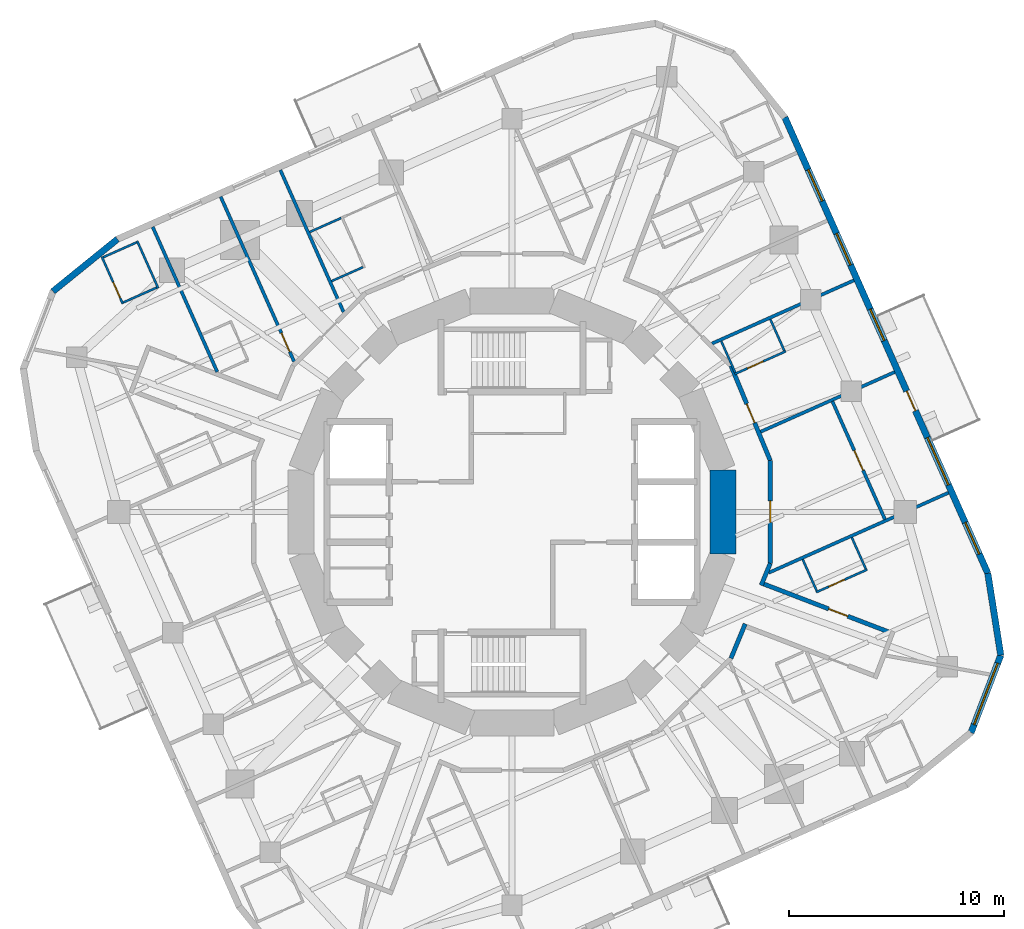
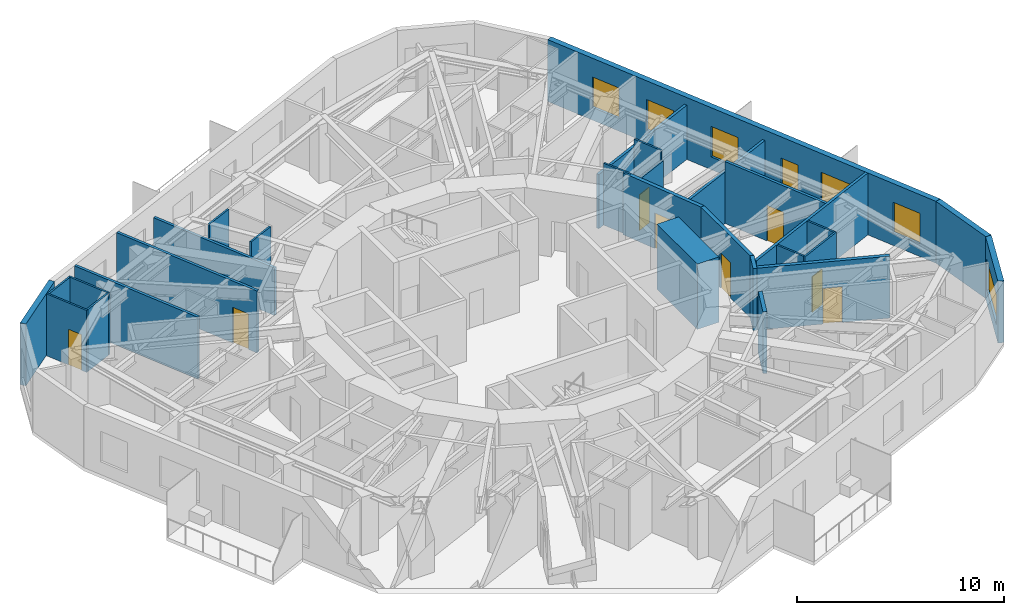
# One storey, part 8 of 12: 29 walls, 9 doors, 6 windows, 15 openings.
"""IFC4 building model written with IfcOpenShell, lengths in metres."""

from ifc_helpers import new_model, si_unit, direction, frame, frame_2d, origin, place, context, subcontext, project, spatial, rectangle, extrude, material, layer, layer_set, type_object, element, fill, save


model = new_model("IFC4")

# Units and contexts
model_context = context("Model", 3, precision=1e-05, world=origin(), true_north=direction((0.0, 1.0)))
body_context = subcontext(model_context, "Body", "Model", "MODEL_VIEW")
ifc_project = project(units=[si_unit("LENGTHUNIT", "METRE"), si_unit("AREAUNIT", "SQUARE_METRE"), si_unit("VOLUMEUNIT", "CUBIC_METRE"), si_unit("PLANEANGLEUNIT", "RADIAN"), si_unit("MASSUNIT", "GRAM", prefix="KILO")], contexts=[model_context])

# Site, building, storey
site_placement = place(None, origin())
site = spatial("IfcSite", under=ifc_project, at=site_placement, CompositionType="ELEMENT")
building_placement = place(site_placement, origin())
building = spatial("IfcBuilding", under=site, at=building_placement, Name="Nakasero Lantern House", CompositionType="ELEMENT")
storey_placement = place(building_placement, frame((0.0, 0.0, 213.25)))
storey = spatial("IfcBuildingStorey", under=building, at=storey_placement, Name="L52", CompositionType="ELEMENT", Elevation=213.25)

# Wall
ifc_material_1 = material(Name="Concrete C50/60", Category="concrete")
ifc_layer_1 = layer(ifc_material_1, 1.199951171875)
ifc_layer_set_1 = layer_set([ifc_layer_1], Name="Core wall 1200")
wall_type_1 = type_object("IfcWallType", Name="Core wall 1200", PredefinedType="SHEAR", material=ifc_layer_set_1)
wall_1_placement = place(storey_placement, frame((9.807861328125, -1.950927734375, 0.0), z_axis=(0.0, 0.0, 1.0), x_axis=(0.0, 1.0, 0.0)))
element("IfcWall", 1, at=wall_1_placement, inside=storey, type_object=wall_type_1, Name="Core wall L52 facet 16", PredefinedType="SHEAR", context=body_context, shape_type="SweptSolid", body=[
    extrude(rectangle(XDim=3.90185546875, YDim=1.199951171875, at=frame_2d((1.950927734375, 0.0))), origin(), (0.0, 0.0, 1.0), 3.85009765625),
])

# Wall, opening, door
ifc_material_2 = material(Name="Blockwork", Category="masonry")
ifc_layer_2 = layer(ifc_material_2, 0.199951171875)
ifc_layer_set_2 = layer_set([ifc_layer_2], Name="Corridor wall 200")
wall_type_2 = type_object("IfcWallType", Name="Corridor wall 200", PredefinedType="PARTITIONING", material=ifc_layer_set_2)
wall_2_placement = place(storey_placement, frame((12.0078125, 2.388427734375, 0.0), z_axis=(0.0, 0.0, 1.0), x_axis=(0.0, -1.0, 0.0)))
wall_2 = element("IfcWall", 2, at=wall_2_placement, inside=storey, type_object=wall_type_2, Name="Corridor wall L52 RC00a", PredefinedType="PARTITIONING", context=body_context, shape_type="SweptSolid", body=[
    extrude(rectangle(XDim=4.77685546875, YDim=0.199951171875, at=frame_2d((2.388427734375, 0.0))), origin(), (0.0, 0.0, 1.0), 3.64990234375),
])
opening_1_placement = place(wall_2_placement, frame((1.8701171875, 0.0, 0.0)))
opening_1 = element("IfcOpeningElement", 3, at=opening_1_placement, cuts=wall_2, Name="Opening D03", PredefinedType="OPENING", context=body_context, shape_type="SweptSolid", body=[
    extrude(rectangle(XDim=1.0, YDim=2.10009765625, at=frame_2d((0.5, 1.050048828125))), frame((0.0, 0.119873046875, 0.0), z_axis=(0.0, -1.0, 0.0), x_axis=(1.0, 0.0, 0.0)), (0.0, 0.0, 1.0), 0.239990234375),
])
ifc_material_3 = material(Name="Timber C24", Category="wood")
door_type_1 = type_object("IfcDoorType", Name="Lounge door FD30S 1000", OperationType="SINGLE_SWING_LEFT", PredefinedType="DOOR", material=ifc_material_3)
door_1_placement = place(opening_1_placement, origin())
door_1 = element("IfcDoor", 4, at=door_1_placement, inside=storey, type_object=door_type_1, Name="Door L52 DK0", OperationType="SINGLE_SWING_LEFT", OverallHeight=2.10009765625, OverallWidth=1.0, PredefinedType="DOOR", context=body_context, shape_type="SweptSolid", body=[
    extrude(rectangle(XDim=1.0, YDim=2.10009765625, at=frame_2d((0.5, 1.050048828125))), frame((0.0, 0.02490234375, 0.0), z_axis=(0.0, -1.0, 0.0), x_axis=(1.0, 0.0, 0.0)), (0.0, 0.0, 1.0), 0.050048828125),
])
fill(opening_1, door_1)

# Walls
wall_3_placement = place(storey_placement, frame((12.0078125, -2.388427734375, 0.0), z_axis=(0.0, 0.0, 1.0), x_axis=(-0.382651327736, -0.923892830031, 0.0)))
element("IfcWall", 5, at=wall_3_placement, inside=storey, type_object=wall_type_2, Name="Corridor wall L52 RC01a", PredefinedType="PARTITIONING", context=body_context, shape_type="SweptSolid", body=[
    extrude(rectangle(XDim=1.103759765625, YDim=0.199951171875, at=frame_2d((0.5517578125, 0.0))), origin(), (0.0, 0.0, 1.0), 3.64990234375),
])
wall_4_placement = place(storey_placement, frame((10.8427734375, -5.201171875, 0.0), z_axis=(0.0, 0.0, 1.0), x_axis=(-0.382683633391, -0.923879449244, 0.0)))
element("IfcWall", 6, at=wall_4_placement, inside=storey, type_object=wall_type_2, Name="Corridor wall L52 RC01b", PredefinedType="PARTITIONING", context=body_context, shape_type="SweptSolid", body=[
    extrude(rectangle(XDim=1.732666015625, YDim=0.199951171875, at=frame_2d((0.8662109375, 0.0))), origin(), (0.0, 0.0, 1.0), 3.64990234375),
])

# Wall, opening, door
wall_5_placement = place(storey_placement, frame((10.1796875, 6.802001953125, 0.0), z_axis=(0.0, 0.0, 1.0), x_axis=(0.382676767893, -0.923882292998, 0.0)))
wall_5 = element("IfcWall", 7, at=wall_5_placement, inside=storey, type_object=wall_type_2, Name="Corridor wall L52 RC15a", PredefinedType="PARTITIONING", context=body_context, shape_type="SweptSolid", body=[
    extrude(rectangle(XDim=4.777099609375, YDim=0.199951171875, at=frame_2d((2.388671875, 0.0))), origin(), (0.0, 0.0, 1.0), 3.64990234375),
])
opening_2_placement = place(wall_5_placement, frame((1.919921875, 0.0, 0.0)))
opening_2 = element("IfcOpeningElement", 8, at=opening_2_placement, cuts=wall_5, Name="Opening D01", PredefinedType="OPENING", context=body_context, shape_type="SweptSolid", body=[
    extrude(rectangle(XDim=0.949951171875, YDim=2.10009765625, at=frame_2d((0.47509765625, 1.050048828125))), frame((0.0, 0.119873046875, 0.0), z_axis=(0.0, -1.0, 0.0), x_axis=(1.0, 0.0, 0.0)), (0.0, 0.0, 1.0), 0.239990234375),
])
ifc_material_4 = material(Name="Timber C24", Category="wood")
door_type_2 = type_object("IfcDoorType", Name="Bedroom door FD30S 950", OperationType="SINGLE_SWING_LEFT", PredefinedType="DOOR", material=ifc_material_4)
door_2_placement = place(opening_2_placement, origin())
door_2 = element("IfcDoor", 9, at=door_2_placement, inside=storey, type_object=door_type_2, Name="Door L52 D0-03", OperationType="SINGLE_SWING_RIGHT", OverallHeight=2.10009765625, OverallWidth=0.949951171875, PredefinedType="DOOR", context=body_context, shape_type="SweptSolid", body=[
    extrude(rectangle(XDim=0.949951171875, YDim=2.10009765625, at=frame_2d((0.47509765625, 1.050048828125))), frame((0.0, 0.02490234375, 0.0), z_axis=(0.0, -1.0, 0.0), x_axis=(1.0, 0.0, 0.0)), (0.0, 0.0, 1.0), 0.050048828125),
])
fill(opening_2, door_2)

wall_6_placement = place(storey_placement, frame((11.623779296875, -3.31591796875, 0.0), z_axis=(0.0, 0.0, 1.0), x_axis=(0.933579421016, -0.358370568903, 0.0)))
wall_6 = element("IfcWall", 10, at=wall_6_placement, inside=storey, type_object=wall_type_2, Name="Corridor wall L52 SP3b", PredefinedType="PARTITIONING", context=body_context, shape_type="SweptSolid", body=[
    extrude(rectangle(XDim=6.587646484375, YDim=0.199951171875, at=frame_2d((3.2939453125, 0.0))), origin(), (0.0, 0.0, 1.0), 3.64990234375),
])
opening_3_placement = place(wall_6_placement, frame((3.320068359375, 0.0, 0.0)))
opening_3 = element("IfcOpeningElement", 11, at=opening_3_placement, cuts=wall_6, Name="Opening D01", PredefinedType="OPENING", context=body_context, shape_type="SweptSolid", body=[
    extrude(rectangle(XDim=0.949951171875, YDim=2.10009765625, at=frame_2d((0.47509765625, 1.050048828125))), frame((0.0, 0.119873046875, 0.0), z_axis=(0.0, -1.0, 0.0), x_axis=(1.0, 0.0, 0.0)), (0.0, 0.0, 1.0), 0.239990234375),
])
door_3_placement = place(opening_3_placement, origin())
door_3 = element("IfcDoor", 12, at=door_3_placement, inside=storey, type_object=door_type_2, Name="Door L52 D0-00", OperationType="SINGLE_SWING_RIGHT", OverallHeight=2.10009765625, OverallWidth=0.949951171875, PredefinedType="DOOR", context=body_context, shape_type="SweptSolid", body=[
    extrude(rectangle(XDim=0.949951171875, YDim=2.10009765625, at=frame_2d((0.47509765625, 1.050048828125))), frame((0.0, 0.02490234375, 0.0), z_axis=(0.0, -1.0, 0.0), x_axis=(1.0, 0.0, 0.0)), (0.0, 0.0, 1.0), 0.050048828125),
])
fill(opening_3, door_3)

ifc_material_5 = material(Name="Blockwork", Category="masonry")
ifc_layer_3 = layer(ifc_material_5, 0.10009765625)
ifc_layer_set_3 = layer_set([ifc_layer_3], Name="En-suite wall 100")
wall_type_3 = type_object("IfcWallType", Name="En-suite wall 100", PredefinedType="PARTITIONING", material=ifc_layer_set_3)
wall_7_placement = place(storey_placement, frame((14.14013671875, -3.731689453125, 0.0), z_axis=(0.0, 0.0, 1.0), x_axis=(0.913532543723, 0.406765646974, 0.0)))
wall_7 = element("IfcWall", 13, at=wall_7_placement, inside=storey, type_object=wall_type_3, Name="En-suite wall L52 ES0-00", PredefinedType="PARTITIONING", context=body_context, shape_type="SweptSolid", body=[
    extrude(rectangle(XDim=2.60009765625, YDim=0.10009765625, at=frame_2d((1.300048828125, 0.0))), origin(), (0.0, 0.0, 1.0), 3.64990234375),
])
opening_4_placement = place(wall_7_placement, frame((0.64990234375, 0.0, 0.0)))
opening_4 = element("IfcOpeningElement", 14, at=opening_4_placement, cuts=wall_7, Name="Opening D02", PredefinedType="OPENING", context=body_context, shape_type="SweptSolid", body=[
    extrude(rectangle(XDim=0.800048828125, YDim=2.10009765625, at=frame_2d((0.39990234375, 1.050048828125))), frame((0.0, 0.070068359375, 0.0), z_axis=(0.0, -1.0, 0.0), x_axis=(1.0, 0.0, 0.0)), (0.0, 0.0, 1.0), 0.14013671875),
])
ifc_material_6 = material(Name="Timber C24", Category="wood")
door_type_3 = type_object("IfcDoorType", Name="En-suite door 800", OperationType="SINGLE_SWING_RIGHT", PredefinedType="DOOR", material=ifc_material_6)
door_4_placement = place(opening_4_placement, origin())
door_4 = element("IfcDoor", 15, at=door_4_placement, inside=storey, type_object=door_type_3, Name="Door L52 DE0-00", OperationType="SINGLE_SWING_LEFT", OverallHeight=2.10009765625, OverallWidth=0.800048828125, PredefinedType="DOOR", context=body_context, shape_type="SweptSolid", body=[
    extrude(rectangle(XDim=0.800048828125, YDim=2.10009765625, at=frame_2d((0.39990234375, 1.050048828125))), frame((0.0, 0.02490234375, 0.0), z_axis=(0.0, -1.0, 0.0), x_axis=(1.0, 0.0, 0.0)), (0.0, 0.0, 1.0), 0.050048828125),
])
fill(opening_4, door_4)

# Walls
wall_8_placement = place(storey_placement, frame((16.449462890625, -2.648681640625, 0.0), z_axis=(0.0, 0.0, 1.0), x_axis=(-0.40678959877, 0.913521878409, 0.0)))
element("IfcWall", 16, at=wall_8_placement, inside=storey, type_object=wall_type_3, Name="En-suite wall L52 EE0-00", PredefinedType="PARTITIONING", context=body_context, shape_type="SweptSolid", body=[
    extrude(rectangle(XDim=1.60009765625, YDim=0.10009765625, at=frame_2d((0.800048828125, 0.0))), origin(), (0.0, 0.0, 1.0), 3.64990234375),
])
wall_9_placement = place(storey_placement, frame((14.16552734375, -3.66552734375, 0.0), z_axis=(0.0, 0.0, 1.0), x_axis=(-0.406662251972, 0.913578575067, 0.0)))
element("IfcWall", 17, at=wall_9_placement, inside=storey, type_object=wall_type_3, Name="En-suite wall L52 EI0-00", PredefinedType="PARTITIONING", context=body_context, shape_type="SweptSolid", body=[
    extrude(rectangle(XDim=1.599853515625, YDim=0.10009765625, at=frame_2d((0.7998046875, 0.0))), origin(), (0.0, 0.0, 1.0), 3.64990234375),
])

# Wall, opening, door
wall_10_placement = place(storey_placement, frame((10.353515625, 6.4130859375, 0.0), z_axis=(0.0, 0.0, 1.0), x_axis=(0.913567433554, 0.406687280781, 0.0)))
wall_10 = element("IfcWall", 18, at=wall_10_placement, inside=storey, type_object=wall_type_3, Name="En-suite wall L52 ES0-03", PredefinedType="PARTITIONING", context=body_context, shape_type="SweptSolid", body=[
    extrude(rectangle(XDim=2.599853515625, YDim=0.10009765625, at=frame_2d((1.2998046875, 0.0))), origin(), (0.0, 0.0, 1.0), 3.037841796875),
])
opening_5_placement = place(wall_10_placement, frame((0.64990234375, 0.0, 0.0)))
opening_5 = element("IfcOpeningElement", 19, at=opening_5_placement, cuts=wall_10, Name="Opening D02", PredefinedType="OPENING", context=body_context, shape_type="SweptSolid", body=[
    extrude(rectangle(XDim=0.800048828125, YDim=2.10009765625, at=frame_2d((0.39990234375, 1.050048828125))), frame((0.0, 0.070068359375, 0.0), z_axis=(0.0, -1.0, 0.0), x_axis=(1.0, 0.0, 0.0)), (0.0, 0.0, 1.0), 0.14013671875),
])
door_5_placement = place(opening_5_placement, origin())
door_5 = element("IfcDoor", 20, at=door_5_placement, inside=storey, type_object=door_type_3, Name="Door L52 DE0-03", OperationType="SINGLE_SWING_LEFT", OverallHeight=2.10009765625, OverallWidth=0.800048828125, PredefinedType="DOOR", context=body_context, shape_type="SweptSolid", body=[
    extrude(rectangle(XDim=0.800048828125, YDim=2.10009765625, at=frame_2d((0.39990234375, 1.050048828125))), frame((0.0, 0.02490234375, 0.0), z_axis=(0.0, -1.0, 0.0), x_axis=(1.0, 0.0, 0.0)), (0.0, 0.0, 1.0), 0.050048828125),
])
fill(opening_5, door_5)

# Walls
for number, where, z_axis, x_axis, name in (
    (21, (12.66259765625, 7.495849609375, 0.0), (0.0, 0.0, 1.0), (-0.406662251972, 0.913578575067, 0.0), "En-suite wall L52 EE0-03"),
    (22, (10.378662109375, 6.47900390625, 0.0), (0.0, 0.0, 1.0), (-0.406662251972, 0.913578575067, 0.0), "En-suite wall L52 EI0-03"),
    (23, (-7.943359375, 13.66748046875, 0.0), (0.0, 0.0, 1.0), (-0.913578575067, -0.406662251972, 0.0), "En-suite wall L52 EE1-03"),
):
    element("IfcWall", number, at=place(storey_placement, frame(where, z_axis=z_axis, x_axis=x_axis)), inside=storey, type_object=wall_type_3, Name=name, PredefinedType="PARTITIONING", context=body_context, shape_type="SweptSolid", body=[
        extrude(rectangle(XDim=1.599853515625, YDim=0.10009765625, at=frame_2d((0.7998046875, 0.0))), origin(), (0.0, 0.0, 1.0), 3.64990234375),
    ])
wall_11_placement = place(storey_placement, frame((-6.926513671875, 11.3837890625, 0.0), z_axis=(0.0, 0.0, 1.0), x_axis=(-0.913521878409, -0.40678959877, 0.0)))
element("IfcWall", 24, at=wall_11_placement, inside=storey, type_object=wall_type_3, Name="En-suite wall L52 EI1-03", PredefinedType="PARTITIONING", context=body_context, shape_type="SweptSolid", body=[
    extrude(rectangle(XDim=1.60009765625, YDim=0.10009765625, at=frame_2d((0.800048828125, 0.0))), origin(), (0.0, 0.0, 1.0), 3.64990234375),
])

# Wall, opening, door
wall_12_placement = place(storey_placement, frame((-18.0947265625, 9.676025390625, 0.0), z_axis=(0.0, 0.0, 1.0), x_axis=(-0.406685806039, 0.913568090055, 0.0)))
wall_12 = element("IfcWall", 25, at=wall_12_placement, inside=storey, type_object=wall_type_3, Name="En-suite wall L52 ES1-06", PredefinedType="PARTITIONING", context=body_context, shape_type="SweptSolid", body=[
    extrude(rectangle(XDim=2.400146484375, YDim=0.10009765625, at=frame_2d((1.2001953125, 0.0))), origin(), (0.0, 0.0, 1.0), 3.64990234375),
])
opening_6_placement = place(wall_12_placement, frame((0.300048828125, 0.0, 0.0)))
opening_6 = element("IfcOpeningElement", 26, at=opening_6_placement, cuts=wall_12, Name="Opening D02", PredefinedType="OPENING", context=body_context, shape_type="SweptSolid", body=[
    extrude(rectangle(XDim=0.800048828125, YDim=2.10009765625, at=frame_2d((0.39990234375, 1.050048828125))), frame((0.0, 0.070068359375, 0.0), z_axis=(0.0, -1.0, 0.0), x_axis=(1.0, 0.0, 0.0)), (0.0, 0.0, 1.0), 0.14013671875),
])
door_6_placement = place(opening_6_placement, origin())
door_6 = element("IfcDoor", 27, at=door_6_placement, inside=storey, type_object=door_type_3, Name="Door L52 DE1-06", OperationType="SINGLE_SWING_LEFT", OverallHeight=2.10009765625, OverallWidth=0.800048828125, PredefinedType="DOOR", context=body_context, shape_type="SweptSolid", body=[
    extrude(rectangle(XDim=0.800048828125, YDim=2.10009765625, at=frame_2d((0.39990234375, 1.050048828125))), frame((0.0, 0.02490234375, 0.0), z_axis=(0.0, -1.0, 0.0), x_axis=(1.0, 0.0, 0.0)), (0.0, 0.0, 1.0), 0.050048828125),
])
fill(opening_6, door_6)

# Walls
wall_13_placement = place(storey_placement, frame((-16.4501953125, 10.408203125, 0.0), z_axis=(0.0, 0.0, 1.0), x_axis=(-0.406808500233, 0.913513461389, 0.0)))
element("IfcWall", 28, at=wall_13_placement, inside=storey, type_object=wall_type_3, Name="En-suite wall L52 EV1-06", PredefinedType="PARTITIONING", context=body_context, shape_type="SweptSolid", body=[
    extrude(rectangle(XDim=2.39990234375, YDim=0.10009765625, at=frame_2d((1.199951171875, 0.0))), origin(), (0.0, 0.0, 1.0), 3.64990234375),
])
wall_14_placement = place(storey_placement, frame((-17.45166015625, 12.53466796875, 0.0), z_axis=(0.0, 0.0, 1.0), x_axis=(-0.91357452948, -0.406671340378, 0.0)))
element("IfcWall", 29, at=wall_14_placement, inside=storey, type_object=wall_type_3, Name="En-suite wall L52 EE1-06", PredefinedType="PARTITIONING", context=body_context, shape_type="SweptSolid", body=[
    extrude(rectangle(XDim=1.7001953125, YDim=0.10009765625, at=frame_2d((0.85009765625, 0.0))), origin(), (0.0, 0.0, 1.0), 3.64990234375),
])
wall_15_placement = place(storey_placement, frame((-16.516357421875, 10.43359375, 0.0), z_axis=(0.0, 0.0, 1.0), x_axis=(-0.913550776237, -0.406724697108, 0.0)))
element("IfcWall", 30, at=wall_15_placement, inside=storey, type_object=wall_type_3, Name="En-suite wall L52 EI1-06", PredefinedType="PARTITIONING", context=body_context, shape_type="SweptSolid", body=[
    extrude(rectangle(XDim=1.699951171875, YDim=0.10009765625, at=frame_2d((0.85009765625, 0.0))), origin(), (0.0, 0.0, 1.0), 3.64990234375),
])

# Wall, openings, door, windows
ifc_material_7 = material(Name="Aluminium rainscreen on blockwork", Category="masonry")
ifc_layer_4 = layer(ifc_material_7, 0.300048828125)
ifc_layer_set_4 = layer_set([ifc_layer_4], Name="Facade wall 300")
wall_type_4 = type_object("IfcWallType", Name="Facade wall 300", PredefinedType="SOLIDWALL", material=ifc_layer_set_4)
wall_16_placement = place(storey_placement, frame((22.12109375, -2.848876953125, 0.0), z_axis=(0.0, 0.0, 1.0), x_axis=(-0.406734951338, 0.913546210851, 0.0)))
wall_16 = element("IfcWall", 31, at=wall_16_placement, inside=storey, type_object=wall_type_4, Name="Facade wall L52 FW0S", PredefinedType="SOLIDWALL", context=body_context, shape_type="SweptSolid", body=[
    extrude(rectangle(XDim=23.199951171875, YDim=0.300048828125, at=frame_2d((11.60009765625, 0.0))), origin(), (0.0, 0.0, 1.0), 3.64990234375),
])
opening_7_placement = place(wall_16_placement, frame((0.982421875, 0.0, 0.75)))
opening_7 = element("IfcOpeningElement", 32, at=opening_7_placement, cuts=wall_16, Name="Opening W01", PredefinedType="OPENING", context=body_context, shape_type="SweptSolid", body=[
    extrude(rectangle(XDim=1.60009765625, YDim=1.800048828125, at=frame_2d((0.800048828125, 0.89990234375))), frame((0.0, 0.169921875, 0.0), z_axis=(0.0, -1.0, 0.0), x_axis=(1.0, 0.0, 0.0)), (0.0, 0.0, 1.0), 0.340087890625),
])
opening_8_placement = place(wall_16_placement, frame((11.83984375, 0.0, 0.75)))
opening_8 = element("IfcOpeningElement", 33, at=opening_8_placement, cuts=wall_16, Name="Opening W01", PredefinedType="OPENING", context=body_context, shape_type="SweptSolid", body=[
    extrude(rectangle(XDim=1.60009765625, YDim=1.800048828125, at=frame_2d((0.800048828125, 0.89990234375))), frame((0.0, 0.169921875, 0.0), z_axis=(0.0, -1.0, 0.0), x_axis=(1.0, 0.0, 0.0)), (0.0, 0.0, 1.0), 0.340087890625),
])
opening_9_placement = place(wall_16_placement, frame((15.69140625, 0.0, 0.75)))
opening_9 = element("IfcOpeningElement", 34, at=opening_9_placement, cuts=wall_16, Name="Opening W01", PredefinedType="OPENING", context=body_context, shape_type="SweptSolid", body=[
    extrude(rectangle(XDim=1.60009765625, YDim=1.800048828125, at=frame_2d((0.800048828125, 0.89990234375))), frame((0.0, 0.169921875, 0.0), z_axis=(0.0, -1.0, 0.0), x_axis=(1.0, 0.0, 0.0)), (0.0, 0.0, 1.0), 0.340087890625),
])
opening_10_placement = place(wall_16_placement, frame((18.940185546875, 0.0, 0.75)))
opening_10 = element("IfcOpeningElement", 35, at=opening_10_placement, cuts=wall_16, Name="Opening W01", PredefinedType="OPENING", context=body_context, shape_type="SweptSolid", body=[
    extrude(rectangle(XDim=1.60009765625, YDim=1.800048828125, at=frame_2d((0.800048828125, 0.89990234375))), frame((0.0, 0.169921875, 0.0), z_axis=(0.0, -1.0, 0.0), x_axis=(1.0, 0.0, 0.0)), (0.0, 0.0, 1.0), 0.340087890625),
])
opening_11_placement = place(wall_16_placement, frame((4.500244140625, 0.0, 0.75)))
opening_11 = element("IfcOpeningElement", 36, at=opening_11_placement, cuts=wall_16, Name="Opening W03", PredefinedType="OPENING", context=body_context, shape_type="SweptSolid", body=[
    extrude(rectangle(XDim=2.39990234375, YDim=1.800048828125, at=frame_2d((1.199951171875, 0.89990234375))), frame((0.0, 0.169921875, 0.0), z_axis=(0.0, -1.0, 0.0), x_axis=(1.0, 0.0, 0.0)), (0.0, 0.0, 1.0), 0.340087890625),
])
opening_12_placement = place(wall_16_placement, frame((8.271484375, 0.0, 0.0)))
opening_12 = element("IfcOpeningElement", 37, at=opening_12_placement, cuts=wall_16, Name="Opening D04", PredefinedType="OPENING", context=body_context, shape_type="SweptSolid", body=[
    extrude(rectangle(XDim=1.0, YDim=2.39990234375, at=frame_2d((0.5, 1.199951171875))), frame((0.0, 0.169921875, 0.0), z_axis=(0.0, -1.0, 0.0), x_axis=(1.0, 0.0, 0.0)), (0.0, 0.0, 1.0), 0.340087890625),
])
ifc_material_8 = material(Name="Aluminium 6063-T6 and glass", Category="aluminium")
door_type_4 = type_object("IfcDoorType", Name="Balcony door 1000x2400", OperationType="SINGLE_SWING_RIGHT", PredefinedType="DOOR", material=ifc_material_8)
door_7_placement = place(opening_12_placement, origin())
door_7 = element("IfcDoor", 38, at=door_7_placement, inside=storey, type_object=door_type_4, Name="Balcony door L52 DB0", OperationType="SINGLE_SWING_RIGHT", OverallHeight=2.39990234375, OverallWidth=1.0, PredefinedType="DOOR", context=body_context, shape_type="SweptSolid", body=[
    extrude(rectangle(XDim=1.0, YDim=2.39990234375, at=frame_2d((0.5, 1.199951171875))), frame((0.0, 0.02490234375, 0.0), z_axis=(0.0, -1.0, 0.0), x_axis=(1.0, 0.0, 0.0)), (0.0, 0.0, 1.0), 0.050048828125),
])
fill(opening_12, door_7)
ifc_material_9 = material(Name="Aluminium 6063-T6 and glass", Category="aluminium")
window_type_1 = type_object("IfcWindowType", Name="Bedroom window 1600x1800", PartitioningType="SINGLE_PANEL", PredefinedType="WINDOW", material=ifc_material_9)
window_1_placement = place(opening_7_placement, origin())
window_1 = element("IfcWindow", 39, at=window_1_placement, inside=storey, type_object=window_type_1, Name="Window L52 WN0-00", OverallHeight=1.800048828125, OverallWidth=1.60009765625, PartitioningType="SINGLE_PANEL", PredefinedType="WINDOW", context=body_context, shape_type="SweptSolid", body=[
    extrude(rectangle(XDim=1.60009765625, YDim=1.800048828125, at=frame_2d((0.800048828125, 0.89990234375))), frame((0.0, 0.030029296875, 0.0), z_axis=(0.0, -1.0, 0.0), x_axis=(1.0, 0.0, 0.0)), (0.0, 0.0, 1.0), 0.06005859375),
])
fill(opening_7, window_1)
window_2_placement = place(opening_8_placement, origin())
window_2 = element("IfcWindow", 40, at=window_2_placement, inside=storey, type_object=window_type_1, Name="Window L52 WN0-03", OverallHeight=1.800048828125, OverallWidth=1.60009765625, PartitioningType="SINGLE_PANEL", PredefinedType="WINDOW", context=body_context, shape_type="SweptSolid", body=[
    extrude(rectangle(XDim=1.60009765625, YDim=1.800048828125, at=frame_2d((0.800048828125, 0.89990234375))), frame((0.0, 0.030029296875, 0.0), z_axis=(0.0, -1.0, 0.0), x_axis=(1.0, 0.0, 0.0)), (0.0, 0.0, 1.0), 0.06005859375),
])
fill(opening_8, window_2)
window_3_placement = place(opening_9_placement, origin())
window_3 = element("IfcWindow", 41, at=window_3_placement, inside=storey, type_object=window_type_1, Name="Window L52 WN0-04", OverallHeight=1.800048828125, OverallWidth=1.60009765625, PartitioningType="SINGLE_PANEL", PredefinedType="WINDOW", context=body_context, shape_type="SweptSolid", body=[
    extrude(rectangle(XDim=1.60009765625, YDim=1.800048828125, at=frame_2d((0.800048828125, 0.89990234375))), frame((0.0, 0.030029296875, 0.0), z_axis=(0.0, -1.0, 0.0), x_axis=(1.0, 0.0, 0.0)), (0.0, 0.0, 1.0), 0.06005859375),
])
fill(opening_9, window_3)
window_4_placement = place(opening_10_placement, origin())
window_4 = element("IfcWindow", 42, at=window_4_placement, inside=storey, type_object=window_type_1, Name="Window L52 WN0-05", OverallHeight=1.800048828125, OverallWidth=1.60009765625, PartitioningType="SINGLE_PANEL", PredefinedType="WINDOW", context=body_context, shape_type="SweptSolid", body=[
    extrude(rectangle(XDim=1.60009765625, YDim=1.800048828125, at=frame_2d((0.800048828125, 0.89990234375))), frame((0.0, 0.030029296875, 0.0), z_axis=(0.0, -1.0, 0.0), x_axis=(1.0, 0.0, 0.0)), (0.0, 0.0, 1.0), 0.06005859375),
])
fill(opening_10, window_4)
ifc_material_10 = material(Name="Aluminium 6063-T6 and glass", Category="aluminium")
window_type_2 = type_object("IfcWindowType", Name="Lounge window 2400x1800", PartitioningType="SINGLE_PANEL", PredefinedType="WINDOW", material=ifc_material_10)
window_5_placement = place(opening_11_placement, origin())
window_5 = element("IfcWindow", 43, at=window_5_placement, inside=storey, type_object=window_type_2, Name="Window L52 WK0", OverallHeight=1.800048828125, OverallWidth=2.39990234375, PartitioningType="SINGLE_PANEL", PredefinedType="WINDOW", context=body_context, shape_type="SweptSolid", body=[
    extrude(rectangle(XDim=2.39990234375, YDim=1.800048828125, at=frame_2d((1.199951171875, 0.89990234375))), frame((0.0, 0.030029296875, 0.0), z_axis=(0.0, -1.0, 0.0), x_axis=(1.0, 0.0, 0.0)), (0.0, 0.0, 1.0), 0.06005859375),
])
fill(opening_11, window_5)

# Wall
wall_17_placement = place(storey_placement, frame((-18.345458984375, 12.684814453125, 0.0), z_axis=(0.0, 0.0, 1.0), x_axis=(-0.777174099125, -0.629285642335, 0.0)))
element("IfcWall", 44, at=wall_17_placement, inside=storey, type_object=wall_type_4, Name="Facade wall L52 FW1C1", PredefinedType="SOLIDWALL", context=body_context, shape_type="SweptSolid", body=[
    extrude(rectangle(XDim=3.8564453125, YDim=0.300048828125, at=frame_2d((1.92822265625, 0.0))), origin(), (0.0, 0.0, 1.0), 3.64990234375),
])

# Wall, opening, window
wall_18_placement = place(storey_placement, frame((21.342529296875, -10.258056640625, 0.0), z_axis=(0.0, 0.0, 1.0), x_axis=(0.358321438858, 0.933598278948, 0.0)))
wall_18 = element("IfcWall", 45, at=wall_18_placement, inside=storey, type_object=wall_type_4, Name="Facade wall L52 FW3C2", PredefinedType="SOLIDWALL", context=body_context, shape_type="SweptSolid", body=[
    extrude(rectangle(XDim=3.8564453125, YDim=0.300048828125, at=frame_2d((1.92822265625, 0.0))), origin(), (0.0, 0.0, 1.0), 3.64990234375),
])
opening_13_placement = place(wall_18_placement, frame((0.39990234375, 0.0, 0.75)))
opening_13 = element("IfcOpeningElement", 46, at=opening_13_placement, cuts=wall_18, Name="Opening W230", PredefinedType="OPENING", context=body_context, shape_type="SweptSolid", body=[
    extrude(rectangle(XDim=3.055908203125, YDim=1.800048828125, at=frame_2d((1.52783203125, 0.89990234375))), frame((0.0, 0.169921875, 0.0), z_axis=(0.0, -1.0, 0.0), x_axis=(1.0, 0.0, 0.0)), (0.0, 0.0, 1.0), 0.340087890625),
])
ifc_material_11 = material(Name="Aluminium 6063-T6 and glass", Category="aluminium")
window_type_3 = type_object("IfcWindowType", Name="Corner window 3056x1800", PartitioningType="SINGLE_PANEL", PredefinedType="WINDOW", material=ifc_material_11)
window_6_placement = place(opening_13_placement, origin())
window_6 = element("IfcWindow", 47, at=window_6_placement, inside=storey, type_object=window_type_3, Name="Window L52 WC3", OverallHeight=1.800048828125, OverallWidth=3.055908203125, PartitioningType="SINGLE_PANEL", PredefinedType="WINDOW", context=body_context, shape_type="SweptSolid", body=[
    extrude(rectangle(XDim=3.055908203125, YDim=1.800048828125, at=frame_2d((1.52783203125, 0.89990234375))), frame((0.0, 0.030029296875, 0.0), z_axis=(0.0, -1.0, 0.0), x_axis=(1.0, 0.0, 0.0)), (0.0, 0.0, 1.0), 0.06005859375),
])
fill(opening_13, window_6)

# Walls
wall_19_placement = place(storey_placement, frame((22.724365234375, -6.65771484375, 0.0), z_axis=(0.0, 0.0, 1.0), x_axis=(-0.156437203878, 0.987687906802, 0.0)))
element("IfcWall", 48, at=wall_19_placement, inside=storey, type_object=wall_type_4, Name="Facade wall L52 FW3C3", PredefinedType="SOLIDWALL", context=body_context, shape_type="SweptSolid", body=[
    extrude(rectangle(XDim=3.856201171875, YDim=0.300048828125, at=frame_2d((1.92822265625, 0.0))), origin(), (0.0, 0.0, 1.0), 3.64990234375),
])
ifc_material_12 = material(Name="Blockwork", Category="masonry")
ifc_layer_5 = layer(ifc_material_12, 0.14990234375)
ifc_layer_set_5 = layer_set([ifc_layer_5], Name="Party wall 150")
wall_type_5 = type_object("IfcWallType", Name="Party wall 150", PredefinedType="PARTITIONING", material=ifc_layer_set_5)
wall_20_placement = place(storey_placement, frame((11.935302734375, -2.824951171875, 0.0), z_axis=(0.0, 0.0, 1.0), x_axis=(0.91355156837, 0.40672291788, 0.0)))
element("IfcWall", 49, at=wall_20_placement, inside=storey, type_object=wall_type_5, Name="Party wall L52 PW0-01", PredefinedType="PARTITIONING", context=body_context, shape_type="SweptSolid", body=[
    extrude(rectangle(XDim=9.1455078125, YDim=0.14990234375, at=frame_2d((4.57275390625, 0.0))), origin(), (0.0, 0.0, 1.0), 3.64990234375),
])
wall_21_placement = place(storey_placement, frame((11.559814453125, 3.7314453125, 0.0), z_axis=(0.0, 0.0, 1.0), x_axis=(0.913544226514, 0.406739408224, 0.0)))
element("IfcWall", 50, at=wall_21_placement, inside=storey, type_object=wall_type_5, Name="Party wall L52 PW0-03", PredefinedType="PARTITIONING", context=body_context, shape_type="SweptSolid", body=[
    extrude(rectangle(XDim=6.82177734375, YDim=0.14990234375, at=frame_2d((3.410888671875, 0.0))), origin(), (0.0, 0.0, 1.0), 3.037841796875),
])
wall_22_placement = place(storey_placement, frame((9.293701171875, 7.829345703125, 0.0), z_axis=(0.0, 0.0, 1.0), x_axis=(0.913535447493, 0.406759125496, 0.0)))
element("IfcWall", 51, at=wall_22_placement, inside=storey, type_object=wall_type_5, Name="Party wall L52 PW0-04", PredefinedType="PARTITIONING", context=body_context, shape_type="SweptSolid", body=[
    extrude(rectangle(XDim=7.225341796875, YDim=0.14990234375, at=frame_2d((3.61279296875, 0.0))), origin(), (0.0, 0.0, 1.0), 3.196533203125),
])
wall_23_placement = place(storey_placement, frame((-7.829345703125, 9.293701171875, 0.0), z_axis=(0.0, 0.0, 1.0), x_axis=(-0.406759125496, 0.913535447493, 0.0)))
element("IfcWall", 52, at=wall_23_placement, inside=storey, type_object=wall_type_5, Name="Party wall L52 PW1-04", PredefinedType="PARTITIONING", context=body_context, shape_type="SweptSolid", body=[
    extrude(rectangle(XDim=7.225341796875, YDim=0.14990234375, at=frame_2d((3.61279296875, 0.0))), origin(), (0.0, 0.0, 1.0), 2.809326171875),
])

# Wall, opening, door
wall_24_placement = place(storey_placement, frame((-10.130615234375, 6.99267578125, 0.0), z_axis=(0.0, 0.0, 1.0), x_axis=(-0.406732255089, 0.913547411288, 0.0)))
wall_24 = element("IfcWall", 53, at=wall_24_placement, inside=storey, type_object=wall_type_5, Name="Party wall L52 PW1-05", PredefinedType="PARTITIONING", context=body_context, shape_type="SweptSolid", body=[
    extrude(rectangle(XDim=8.3916015625, YDim=0.14990234375, at=frame_2d((4.19580078125, 0.0))), origin(), (0.0, 0.0, 1.0), 3.64990234375),
])
opening_14_placement = place(wall_24_placement, frame((0.5, 0.0, 0.0)))
opening_14 = element("IfcOpeningElement", 54, at=opening_14_placement, cuts=wall_24, Name="Opening D01", PredefinedType="OPENING", context=body_context, shape_type="SweptSolid", body=[
    extrude(rectangle(XDim=0.949951171875, YDim=2.10009765625, at=frame_2d((0.47509765625, 1.050048828125))), frame((0.0, 0.094970703125, 0.0), z_axis=(0.0, -1.0, 0.0), x_axis=(1.0, 0.0, 0.0)), (0.0, 0.0, 1.0), 0.18994140625),
])
door_8_placement = place(opening_14_placement, origin())
door_8 = element("IfcDoor", 55, at=door_8_placement, inside=storey, type_object=door_type_2, Name="Door L52 DS1-05", OperationType="SINGLE_SWING_LEFT", OverallHeight=2.10009765625, OverallWidth=0.949951171875, PredefinedType="DOOR", context=body_context, shape_type="SweptSolid", body=[
    extrude(rectangle(XDim=0.949951171875, YDim=2.10009765625, at=frame_2d((0.47509765625, 1.050048828125))), frame((0.0, 0.02490234375, 0.0), z_axis=(0.0, -1.0, 0.0), x_axis=(1.0, 0.0, 0.0)), (0.0, 0.0, 1.0), 0.050048828125),
])
fill(opening_14, door_8)

# Wall
wall_25_placement = place(storey_placement, frame((-13.70361328125, 6.513671875, 0.0), z_axis=(0.0, 0.0, 1.0), x_axis=(-0.406740331351, 0.913543815508, 0.0)))
element("IfcWall", 56, at=wall_25_placement, inside=storey, type_object=wall_type_5, Name="Party wall L52 PW1-06", PredefinedType="PARTITIONING", context=body_context, shape_type="SweptSolid", body=[
    extrude(rectangle(XDim=7.375732421875, YDim=0.14990234375, at=frame_2d((3.68798828125, 0.0))), origin(), (0.0, 0.0, 1.0), 3.64990234375),
])

# Wall, opening, door
wall_26_placement = place(storey_placement, frame((17.34033203125, -0.347412109375, 0.0), z_axis=(0.0, 0.0, 1.0), x_axis=(-0.406711058405, 0.913556848243, 0.0)))
wall_26 = element("IfcWall", 57, at=wall_26_placement, inside=storey, type_object=wall_type_5, Name="Party wall L52 KQ0", PredefinedType="PARTITIONING", context=body_context, shape_type="SweptSolid", body=[
    extrude(rectangle(XDim=6.012451171875, YDim=0.14990234375, at=frame_2d((3.00634765625, 0.0))), origin(), (0.0, 0.0, 1.0), 3.64990234375),
])
opening_15_placement = place(wall_26_placement, frame((2.506103515625, 0.0, 0.0)))
opening_15 = element("IfcOpeningElement", 58, at=opening_15_placement, cuts=wall_26, Name="Opening D03", PredefinedType="OPENING", context=body_context, shape_type="SweptSolid", body=[
    extrude(rectangle(XDim=1.0, YDim=2.10009765625, at=frame_2d((0.5, 1.050048828125))), frame((0.0, 0.094970703125, 0.0), z_axis=(0.0, -1.0, 0.0), x_axis=(1.0, 0.0, 0.0)), (0.0, 0.0, 1.0), 0.18994140625),
])
door_9_placement = place(opening_15_placement, origin())
door_9 = element("IfcDoor", 59, at=door_9_placement, inside=storey, type_object=door_type_1, Name="Door L52 DKQ0", OperationType="SINGLE_SWING_LEFT", OverallHeight=2.10009765625, OverallWidth=1.0, PredefinedType="DOOR", context=body_context, shape_type="SweptSolid", body=[
    extrude(rectangle(XDim=1.0, YDim=2.10009765625, at=frame_2d((0.5, 1.050048828125))), frame((0.0, 0.02490234375, 0.0), z_axis=(0.0, -1.0, 0.0), x_axis=(1.0, 0.0, 0.0)), (0.0, 0.0, 1.0), 0.050048828125),
])
fill(opening_15, door_9)

save(model, "model.ifc")
